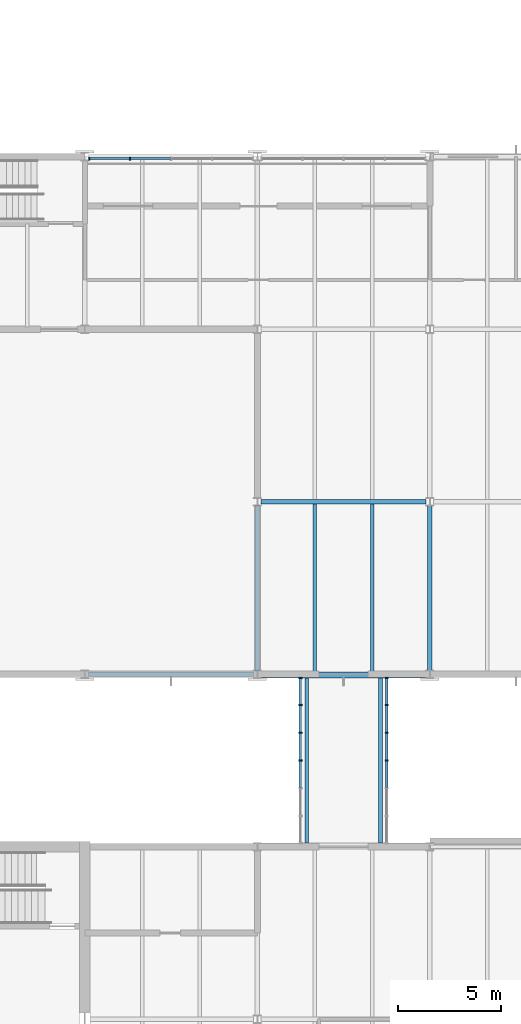
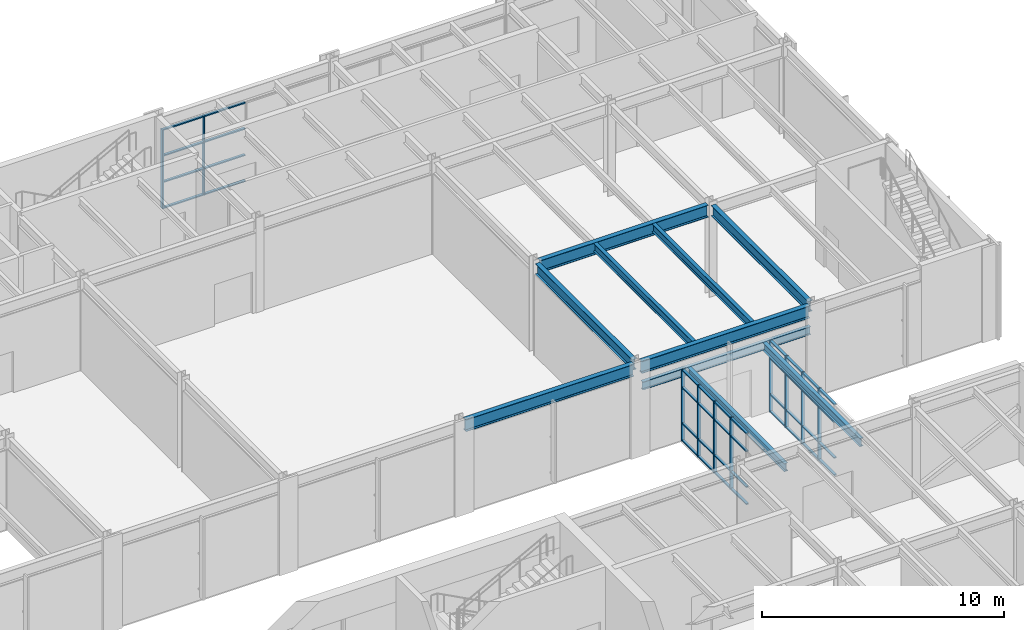
# One storey, part 51 of 127: 50 members, 10 beams, 3 elements without a shape of their own.
"""IFC4 building model written with IfcOpenShell, lengths in metres."""

from ifc_helpers import new_model, si_unit, direction, frame, origin, origin_2d, place, context, subcontext, project, spatial, rectangle, i_section, extrude, material, material_profile, profile_set, type_object, element, aggregate, save


model = new_model("IFC4")

# Units and contexts
model_context = context("Model", 3, precision=1e-05, world=origin(), true_north=direction((0.0, 1.0)))
body_context = subcontext(model_context, "Body", "Model", "MODEL_VIEW")
ifc_project = project(units=[si_unit("LENGTHUNIT", "METRE"), si_unit("AREAUNIT", "SQUARE_METRE"), si_unit("VOLUMEUNIT", "CUBIC_METRE"), si_unit("PLANEANGLEUNIT", "RADIAN"), si_unit("MASSUNIT", "GRAM", prefix="KILO")], contexts=[model_context])

# Site, building, storey
site_placement = place(None, origin())
site = spatial("IfcSite", under=ifc_project, at=site_placement, CompositionType="ELEMENT")
building_placement = place(site_placement, origin())
building = spatial("IfcBuilding", under=site, at=building_placement, Name="Ljudholm Concert House", CompositionType="ELEMENT")
storey_placement = place(building_placement, frame((0.0, 0.0, 5.39990234375)))
storey = spatial("IfcBuildingStorey", under=building, at=storey_placement, Name="L01", CompositionType="ELEMENT", Elevation=5.39990234375)

# Curtain wall, members
ifc_material_1 = material(Name="Aluminium curtain wall with impact-rated laminated glass", Category="aluminium")
curtain_wall_type_1 = type_object("IfcCurtainWallType", Name="CURTAIN WALL 1350", PredefinedType="NOTDEFINED", material=ifc_material_1)
curtain_wall_1_placement = place(storey_placement, origin())
curtain_wall_1 = element("IfcCurtainWall", 1, at=curtain_wall_1_placement, inside=storey, type_object=curtain_wall_type_1, Name="Bridge curtain wall", PredefinedType="NOTDEFINED")
ifc_material_2 = material(Name="Aluminium extrusion", Category="aluminium")
ifc_material_profile_1 = material_profile(ifc_material_2, rectangle(XDim=0.159912109375, YDim=0.06005859375, at=origin_2d()), Name="MULLION 60x160")
ifc_profile_set_1 = profile_set([ifc_material_profile_1], Name="Aluminium extrusion")
member_type_1 = type_object("IfcMemberType", Name="MULLION 60x160", PredefinedType="MULLION", material=ifc_profile_set_1)
member_1_placement = place(storey_placement, frame((106.89990234375, 100.60009765625, 0.0), z_axis=(0.0, 0.0, 1.0), x_axis=(-1.0, 0.0, 0.0)))
member_1 = element("IfcMember", 2, at=member_1_placement, type_object=member_type_1, Name="Mullion", PredefinedType="MULLION", context=body_context, shape_type="SweptSolid", body=[
    extrude(rectangle(XDim=0.159912109375, YDim=0.06005859375, at=origin_2d()), origin(), (0.0, 0.0, 1.0), 3.6201171875),
])
member_2_placement = place(storey_placement, frame((106.89990234375, 101.949951171875, 0.0), z_axis=(0.0, 0.0, 1.0), x_axis=(-1.0, 0.0, 0.0)))
member_2 = element("IfcMember", 3, at=member_2_placement, type_object=member_type_1, Name="Mullion", PredefinedType="MULLION", context=body_context, shape_type="SweptSolid", body=[
    extrude(rectangle(XDim=0.159912109375, YDim=0.06005859375, at=origin_2d()), origin(), (0.0, 0.0, 1.0), 3.6201171875),
])
member_3_placement = place(storey_placement, frame((106.89990234375, 103.300048828125, 0.0), z_axis=(0.0, 0.0, 1.0), x_axis=(-1.0, 0.0, 0.0)))
member_3 = element("IfcMember", 4, at=member_3_placement, type_object=member_type_1, Name="Mullion", PredefinedType="MULLION", context=body_context, shape_type="SweptSolid", body=[
    extrude(rectangle(XDim=0.159912109375, YDim=0.06005859375, at=origin_2d()), origin(), (0.0, 0.0, 1.0), 3.6201171875),
])
member_4_placement = place(storey_placement, frame((106.89990234375, 104.6201171875, 0.0), z_axis=(0.0, 0.0, 1.0), x_axis=(-1.0, 0.0, 0.0)))
member_4 = element("IfcMember", 5, at=member_4_placement, type_object=member_type_1, Name="Mullion", PredefinedType="MULLION", context=body_context, shape_type="SweptSolid", body=[
    extrude(rectangle(XDim=0.159912109375, YDim=0.06005859375, at=origin_2d()), origin(), (0.0, 0.0, 1.0), 3.6201171875),
])

curtain_wall_2_placement = place(storey_placement, origin())
curtain_wall_2 = element("IfcCurtainWall", 6, at=curtain_wall_2_placement, inside=storey, type_object=curtain_wall_type_1, Name="Bridge curtain wall", PredefinedType="NOTDEFINED")
member_5_placement = place(storey_placement, frame((111.10009765625, 100.60009765625, 0.0), z_axis=(0.0, 0.0, 1.0), x_axis=(-1.0, 0.0, 0.0)))
member_5 = element("IfcMember", 7, at=member_5_placement, type_object=member_type_1, Name="Mullion", PredefinedType="MULLION", context=body_context, shape_type="SweptSolid", body=[
    extrude(rectangle(XDim=0.159912109375, YDim=0.06005859375, at=origin_2d()), origin(), (0.0, 0.0, 1.0), 3.6201171875),
])
member_6_placement = place(storey_placement, frame((111.10009765625, 101.949951171875, 0.0), z_axis=(0.0, 0.0, 1.0), x_axis=(-1.0, 0.0, 0.0)))
member_6 = element("IfcMember", 8, at=member_6_placement, type_object=member_type_1, Name="Mullion", PredefinedType="MULLION", context=body_context, shape_type="SweptSolid", body=[
    extrude(rectangle(XDim=0.159912109375, YDim=0.06005859375, at=origin_2d()), origin(), (0.0, 0.0, 1.0), 3.6201171875),
])
member_7_placement = place(storey_placement, frame((111.10009765625, 103.300048828125, 0.0), z_axis=(0.0, 0.0, 1.0), x_axis=(-1.0, 0.0, 0.0)))
member_7 = element("IfcMember", 9, at=member_7_placement, type_object=member_type_1, Name="Mullion", PredefinedType="MULLION", context=body_context, shape_type="SweptSolid", body=[
    extrude(rectangle(XDim=0.159912109375, YDim=0.06005859375, at=origin_2d()), origin(), (0.0, 0.0, 1.0), 3.6201171875),
])
member_8_placement = place(storey_placement, frame((111.10009765625, 104.6201171875, 0.0), z_axis=(0.0, 0.0, 1.0), x_axis=(-1.0, 0.0, 0.0)))
member_8 = element("IfcMember", 10, at=member_8_placement, type_object=member_type_1, Name="Mullion", PredefinedType="MULLION", context=body_context, shape_type="SweptSolid", body=[
    extrude(rectangle(XDim=0.159912109375, YDim=0.06005859375, at=origin_2d()), origin(), (0.0, 0.0, 1.0), 3.6201171875),
])

ifc_material_3 = material(Name="Aluminium curtain wall with fixed aluminium storm louvre blades, timber-grain finish", Category="aluminium")
curtain_wall_type_2 = type_object("IfcCurtainWallType", Name="CURTAIN WALL 2000", PredefinedType="NOTDEFINED", material=ifc_material_3)
curtain_wall_3_placement = place(storey_placement, origin())
curtain_wall_3 = element("IfcCurtainWall", 11, at=curtain_wall_3_placement, inside=storey, type_object=curtain_wall_type_2, Name="Storm louvre screen", PredefinedType="NOTDEFINED")
member_9_placement = place(storey_placement, frame((96.6201171875, 129.89990234375, 0.0), z_axis=(0.0, 0.0, 1.0), x_axis=(0.0, 1.0, 0.0)))
member_9 = element("IfcMember", 12, at=member_9_placement, type_object=member_type_1, Name="Mullion", PredefinedType="MULLION", context=body_context, shape_type="SweptSolid", body=[
    extrude(rectangle(XDim=0.159912109375, YDim=0.06005859375, at=origin_2d()), origin(), (0.0, 0.0, 1.0), 4.008056640625),
])
member_10_placement = place(storey_placement, frame((98.594970703125, 129.89990234375, 0.0), z_axis=(0.0, 0.0, 1.0), x_axis=(0.0, 1.0, 0.0)))
member_10 = element("IfcMember", 13, at=member_10_placement, type_object=member_type_1, Name="Mullion", PredefinedType="MULLION", context=body_context, shape_type="SweptSolid", body=[
    extrude(rectangle(XDim=0.159912109375, YDim=0.06005859375, at=origin_2d()), origin(), (0.0, 0.0, 1.0), 4.008056640625),
])

# Beams
ifc_material_4 = material(Name="Steel ASTM A992", Category="steel")
ifc_material_profile_2 = material_profile(ifc_material_4, i_section(OverallWidth=0.177734375, OverallDepth=0.406494140625, WebThickness=0.0078125, FlangeThickness=0.012939453125, FilletRadius=0.01025390625, at=origin_2d()), Name="W16X40")
ifc_profile_set_2 = profile_set([ifc_material_profile_2], Name="Steel ASTM A992")
beam_type_1 = type_object("IfcBeamType", Name="STEEL BEAM W16X40", PredefinedType="BEAM", material=ifc_profile_set_2)
for number, where, z_axis, x_axis, name in (
    (14, (107.60009765625, 104.91455078125, 4.4169921875), (0.0, 1.0, 0.0), (-1.0, 0.0, 0.0), "Beam STUDIO-L02-sb-107.6-104.8"),
    (15, (110.39990234375, 104.91455078125, 4.4169921875), (0.0, 1.0, 0.0), (-1.0, 0.0, 0.0), "Beam STUDIO-L02-sb-110.4-104.8"),
):
    element("IfcBeam", number, at=place(storey_placement, frame(where, z_axis=z_axis, x_axis=x_axis)), inside=storey, type_object=beam_type_1, Name=name, PredefinedType="BEAM", context=body_context, shape_type="SweptSolid", body=[
        extrude(i_section(OverallWidth=0.177734375, OverallDepth=0.406494140625, WebThickness=0.0078125, FlangeThickness=0.012939453125, FilletRadius=0.01025390625, at=origin_2d()), origin(), (0.0, 0.0, 1.0), 8.1708984375),
    ])
for number, where, z_axis, x_axis, name in (
    (16, (107.199951171875, 96.5888671875, 3.4169921875), (0.0, 1.0, 0.0), (-1.0, 0.0, 0.0), "Bridge roof beam"),
    (17, (110.800048828125, 96.5888671875, 3.4169921875), (0.0, 1.0, 0.0), (-1.0, 0.0, 0.0), "Bridge roof beam"),
):
    element("IfcBeam", number, at=place(storey_placement, frame(where, z_axis=z_axis, x_axis=x_axis)), inside=storey, type_object=beam_type_1, Name=name, PredefinedType="BEAM", context=body_context, shape_type="SweptSolid", body=[
        extrude(i_section(OverallWidth=0.177734375, OverallDepth=0.406494140625, WebThickness=0.0078125, FlangeThickness=0.012939453125, FilletRadius=0.01025390625, at=origin_2d()), origin(), (0.0, 0.0, 1.0), 8.022216796875),
    ])
beam_1_placement = place(storey_placement, frame((104.986572265625, 104.699951171875, 3.4169921875), z_axis=(1.0, 0.0, 0.0), x_axis=(0.0, 1.0, 0.0)))
element("IfcBeam", 18, at=beam_1_placement, inside=storey, type_object=beam_type_1, Name="Bridge bearing beam", PredefinedType="BEAM", context=body_context, shape_type="SweptSolid", body=[
    extrude(i_section(OverallWidth=0.177734375, OverallDepth=0.406494140625, WebThickness=0.0078125, FlangeThickness=0.012939453125, FilletRadius=0.01025390625, at=origin_2d()), origin(), (0.0, 0.0, 1.0), 8.02685546875),
])
ifc_material_5 = material(Name="Steel ASTM A992", Category="steel")
ifc_material_profile_3 = material_profile(ifc_material_5, i_section(OverallWidth=0.209228515625, OverallDepth=0.533447265625, WebThickness=0.01025390625, FlangeThickness=0.015625, FilletRadius=0.012939453125, at=origin_2d()), Name="W21X62")
ifc_profile_set_3 = profile_set([ifc_material_profile_3], Name="Steel ASTM A992")
beam_type_2 = type_object("IfcBeamType", Name="STEEL BEAM W21X62", PredefinedType="BEAM", material=ifc_profile_set_3)
for number, where, z_axis, x_axis, name in (
    (19, (104.800048828125, 104.986572265625, 4.353515625), (0.0, 1.0, 0.0), (-1.0, 0.0, 0.0), "Beam STUDIO-L02-gy-104.8-104.8"),
    (20, (113.199951171875, 104.986572265625, 4.353515625), (0.0, 1.0, 0.0), (-1.0, 0.0, 0.0), "Beam STUDIO-L02-gy-113.2-104.8"),
):
    element("IfcBeam", number, at=place(storey_placement, frame(where, z_axis=z_axis, x_axis=x_axis)), inside=storey, type_object=beam_type_2, Name=name, PredefinedType="BEAM", context=body_context, shape_type="SweptSolid", body=[
        extrude(i_section(OverallWidth=0.209228515625, OverallDepth=0.533447265625, WebThickness=0.01025390625, FlangeThickness=0.015625, FilletRadius=0.012939453125, at=origin_2d()), origin(), (0.0, 0.0, 1.0), 8.02685546875),
    ])
ifc_material_6 = material(Name="Steel ASTM A992", Category="steel")
ifc_material_profile_4 = material_profile(ifc_material_6, i_section(OverallWidth=0.22900390625, OverallDepth=0.612060546875, WebThickness=0.011962890625, FlangeThickness=0.01953125, FilletRadius=0.0126953125, at=origin_2d()), Name="W24X84")
ifc_profile_set_4 = profile_set([ifc_material_profile_4], Name="Steel ASTM A992")
beam_type_3 = type_object("IfcBeamType", Name="STEEL BEAM W24X84", PredefinedType="BEAM", material=ifc_profile_set_4)
beam_2_placement = place(storey_placement, frame((96.586669921875, 104.800048828125, 4.31396484375), z_axis=(1.0, 0.0, 0.0), x_axis=(0.0, 1.0, 0.0)))
element("IfcBeam", 21, at=beam_2_placement, inside=storey, type_object=beam_type_3, Name="Beam STUDIO-L02-gx-96.4-104.8", PredefinedType="BEAM", context=body_context, shape_type="SweptSolid", body=[
    extrude(i_section(OverallWidth=0.22900390625, OverallDepth=0.612060546875, WebThickness=0.011962890625, FlangeThickness=0.01953125, FilletRadius=0.0126953125, at=origin_2d()), origin(), (0.0, 0.0, 1.0), 8.026611328125),
])
for number, where, z_axis, x_axis, name in (
    (22, (104.986572265625, 104.800048828125, 4.31396484375), (1.0, 0.0, 0.0), (0.0, 1.0, 0.0), "Beam STUDIO-L02-gx-104.8-104.8"),
    (23, (104.986572265625, 113.199951171875, 4.31396484375), (1.0, 0.0, 0.0), (0.0, 1.0, 0.0), "Beam STUDIO-L02-gx-104.8-113.2"),
):
    element("IfcBeam", number, at=place(storey_placement, frame(where, z_axis=z_axis, x_axis=x_axis)), inside=storey, type_object=beam_type_3, Name=name, PredefinedType="BEAM", context=body_context, shape_type="SweptSolid", body=[
        extrude(i_section(OverallWidth=0.22900390625, OverallDepth=0.612060546875, WebThickness=0.011962890625, FlangeThickness=0.01953125, FilletRadius=0.0126953125, at=origin_2d()), origin(), (0.0, 0.0, 1.0), 8.02685546875),
    ])

# Member
ifc_material_7 = material(Name="Aluminium extrusion", Category="aluminium")
ifc_material_profile_5 = material_profile(ifc_material_7, rectangle(XDim=0.1201171875, YDim=0.06005859375, at=origin_2d()), Name="TRANSOM 60x120")
ifc_profile_set_5 = profile_set([ifc_material_profile_5], Name="Aluminium extrusion")
member_type_2 = type_object("IfcMemberType", Name="TRANSOM 60x120", PredefinedType="USERDEFINED", material=ifc_profile_set_5)
member_11_placement = place(storey_placement, frame((106.89990234375, 99.280029296875, 0.030029296875), z_axis=(0.0, 1.0, 0.0), x_axis=(-1.0, 0.0, 0.0)))
member_11 = element("IfcMember", 24, at=member_11_placement, type_object=member_type_2, Name="Transom", ObjectType="TRANSOM", PredefinedType="USERDEFINED", context=body_context, shape_type="SweptSolid", body=[
    extrude(rectangle(XDim=0.1201171875, YDim=0.06005859375, at=origin_2d()), origin(), (0.0, 0.0, 1.0), 1.2900390625),
])

member_12_placement = place(storey_placement, frame((106.89990234375, 99.280029296875, 0.900146484375), z_axis=(0.0, 1.0, 0.0), x_axis=(-1.0, 0.0, 0.0)))
member_12 = element("IfcMember", 25, at=member_12_placement, type_object=member_type_2, Name="Transom", ObjectType="TRANSOM", PredefinedType="USERDEFINED", context=body_context, shape_type="SweptSolid", body=[
    extrude(rectangle(XDim=0.1201171875, YDim=0.06005859375, at=origin_2d()), origin(), (0.0, 0.0, 1.0), 1.2900390625),
])

member_13_placement = place(storey_placement, frame((106.89990234375, 99.280029296875, 2.7001953125), z_axis=(0.0, 1.0, 0.0), x_axis=(-1.0, 0.0, 0.0)))
member_13 = element("IfcMember", 26, at=member_13_placement, type_object=member_type_2, Name="Transom", ObjectType="TRANSOM", PredefinedType="USERDEFINED", context=body_context, shape_type="SweptSolid", body=[
    extrude(rectangle(XDim=0.1201171875, YDim=0.06005859375, at=origin_2d()), origin(), (0.0, 0.0, 1.0), 1.2900390625),
])

member_14_placement = place(storey_placement, frame((106.89990234375, 99.280029296875, 3.590087890625), z_axis=(0.0, 1.0, 0.0), x_axis=(-1.0, 0.0, 0.0)))
member_14 = element("IfcMember", 27, at=member_14_placement, type_object=member_type_2, Name="Transom", ObjectType="TRANSOM", PredefinedType="USERDEFINED", context=body_context, shape_type="SweptSolid", body=[
    extrude(rectangle(XDim=0.1201171875, YDim=0.06005859375, at=origin_2d()), origin(), (0.0, 0.0, 1.0), 1.2900390625),
])

member_15_placement = place(storey_placement, frame((106.89990234375, 100.6298828125, 0.030029296875), z_axis=(0.0, 1.0, 0.0), x_axis=(-1.0, 0.0, 0.0)))
member_15 = element("IfcMember", 28, at=member_15_placement, type_object=member_type_2, Name="Transom", ObjectType="TRANSOM", PredefinedType="USERDEFINED", context=body_context, shape_type="SweptSolid", body=[
    extrude(rectangle(XDim=0.1201171875, YDim=0.06005859375, at=origin_2d()), origin(), (0.0, 0.0, 1.0), 1.2900390625),
])

member_16_placement = place(storey_placement, frame((106.89990234375, 100.6298828125, 0.900146484375), z_axis=(0.0, 1.0, 0.0), x_axis=(-1.0, 0.0, 0.0)))
member_16 = element("IfcMember", 29, at=member_16_placement, type_object=member_type_2, Name="Transom", ObjectType="TRANSOM", PredefinedType="USERDEFINED", context=body_context, shape_type="SweptSolid", body=[
    extrude(rectangle(XDim=0.1201171875, YDim=0.06005859375, at=origin_2d()), origin(), (0.0, 0.0, 1.0), 1.2900390625),
])

member_17_placement = place(storey_placement, frame((106.89990234375, 100.6298828125, 2.7001953125), z_axis=(0.0, 1.0, 0.0), x_axis=(-1.0, 0.0, 0.0)))
member_17 = element("IfcMember", 30, at=member_17_placement, type_object=member_type_2, Name="Transom", ObjectType="TRANSOM", PredefinedType="USERDEFINED", context=body_context, shape_type="SweptSolid", body=[
    extrude(rectangle(XDim=0.1201171875, YDim=0.06005859375, at=origin_2d()), origin(), (0.0, 0.0, 1.0), 1.2900390625),
])

member_18_placement = place(storey_placement, frame((106.89990234375, 100.6298828125, 3.590087890625), z_axis=(0.0, 1.0, 0.0), x_axis=(-1.0, 0.0, 0.0)))
member_18 = element("IfcMember", 31, at=member_18_placement, type_object=member_type_2, Name="Transom", ObjectType="TRANSOM", PredefinedType="USERDEFINED", context=body_context, shape_type="SweptSolid", body=[
    extrude(rectangle(XDim=0.1201171875, YDim=0.06005859375, at=origin_2d()), origin(), (0.0, 0.0, 1.0), 1.2900390625),
])

member_19_placement = place(storey_placement, frame((106.89990234375, 101.97998046875, 0.030029296875), z_axis=(0.0, 1.0, 0.0), x_axis=(-1.0, 0.0, 0.0)))
member_19 = element("IfcMember", 32, at=member_19_placement, type_object=member_type_2, Name="Transom", ObjectType="TRANSOM", PredefinedType="USERDEFINED", context=body_context, shape_type="SweptSolid", body=[
    extrude(rectangle(XDim=0.1201171875, YDim=0.06005859375, at=origin_2d()), origin(), (0.0, 0.0, 1.0), 1.2900390625),
])

member_20_placement = place(storey_placement, frame((106.89990234375, 101.97998046875, 0.900146484375), z_axis=(0.0, 1.0, 0.0), x_axis=(-1.0, 0.0, 0.0)))
member_20 = element("IfcMember", 33, at=member_20_placement, type_object=member_type_2, Name="Transom", ObjectType="TRANSOM", PredefinedType="USERDEFINED", context=body_context, shape_type="SweptSolid", body=[
    extrude(rectangle(XDim=0.1201171875, YDim=0.06005859375, at=origin_2d()), origin(), (0.0, 0.0, 1.0), 1.2900390625),
])

member_21_placement = place(storey_placement, frame((106.89990234375, 101.97998046875, 2.7001953125), z_axis=(0.0, 1.0, 0.0), x_axis=(-1.0, 0.0, 0.0)))
member_21 = element("IfcMember", 34, at=member_21_placement, type_object=member_type_2, Name="Transom", ObjectType="TRANSOM", PredefinedType="USERDEFINED", context=body_context, shape_type="SweptSolid", body=[
    extrude(rectangle(XDim=0.1201171875, YDim=0.06005859375, at=origin_2d()), origin(), (0.0, 0.0, 1.0), 1.2900390625),
])

member_22_placement = place(storey_placement, frame((106.89990234375, 101.97998046875, 3.590087890625), z_axis=(0.0, 1.0, 0.0), x_axis=(-1.0, 0.0, 0.0)))
member_22 = element("IfcMember", 35, at=member_22_placement, type_object=member_type_2, Name="Transom", ObjectType="TRANSOM", PredefinedType="USERDEFINED", context=body_context, shape_type="SweptSolid", body=[
    extrude(rectangle(XDim=0.1201171875, YDim=0.06005859375, at=origin_2d()), origin(), (0.0, 0.0, 1.0), 1.2900390625),
])

member_23_placement = place(storey_placement, frame((106.89990234375, 103.330078125, 0.030029296875), z_axis=(0.0, 1.0, 0.0), x_axis=(-1.0, 0.0, 0.0)))
member_23 = element("IfcMember", 36, at=member_23_placement, type_object=member_type_2, Name="Transom", ObjectType="TRANSOM", PredefinedType="USERDEFINED", context=body_context, shape_type="SweptSolid", body=[
    extrude(rectangle(XDim=0.1201171875, YDim=0.06005859375, at=origin_2d()), origin(), (0.0, 0.0, 1.0), 1.260009765625),
])

member_24_placement = place(storey_placement, frame((106.89990234375, 103.330078125, 0.900146484375), z_axis=(0.0, 1.0, 0.0), x_axis=(-1.0, 0.0, 0.0)))
member_24 = element("IfcMember", 37, at=member_24_placement, type_object=member_type_2, Name="Transom", ObjectType="TRANSOM", PredefinedType="USERDEFINED", context=body_context, shape_type="SweptSolid", body=[
    extrude(rectangle(XDim=0.1201171875, YDim=0.06005859375, at=origin_2d()), origin(), (0.0, 0.0, 1.0), 1.260009765625),
])

member_25_placement = place(storey_placement, frame((106.89990234375, 103.330078125, 2.7001953125), z_axis=(0.0, 1.0, 0.0), x_axis=(-1.0, 0.0, 0.0)))
member_25 = element("IfcMember", 38, at=member_25_placement, type_object=member_type_2, Name="Transom", ObjectType="TRANSOM", PredefinedType="USERDEFINED", context=body_context, shape_type="SweptSolid", body=[
    extrude(rectangle(XDim=0.1201171875, YDim=0.06005859375, at=origin_2d()), origin(), (0.0, 0.0, 1.0), 1.260009765625),
])

member_26_placement = place(storey_placement, frame((106.89990234375, 103.330078125, 3.590087890625), z_axis=(0.0, 1.0, 0.0), x_axis=(-1.0, 0.0, 0.0)))
member_26 = element("IfcMember", 39, at=member_26_placement, type_object=member_type_2, Name="Transom", ObjectType="TRANSOM", PredefinedType="USERDEFINED", context=body_context, shape_type="SweptSolid", body=[
    extrude(rectangle(XDim=0.1201171875, YDim=0.06005859375, at=origin_2d()), origin(), (0.0, 0.0, 1.0), 1.260009765625),
])

aggregate(curtain_wall_1, [member_1, member_2, member_3, member_4, member_11, member_12, member_13, member_14, member_15, member_16, member_17, member_18, member_19, member_20, member_21, member_22, member_23, member_24, member_25, member_26])

member_27_placement = place(storey_placement, frame((111.10009765625, 99.280029296875, 0.030029296875), z_axis=(0.0, 1.0, 0.0), x_axis=(-1.0, 0.0, 0.0)))
member_27 = element("IfcMember", 40, at=member_27_placement, type_object=member_type_2, Name="Transom", ObjectType="TRANSOM", PredefinedType="USERDEFINED", context=body_context, shape_type="SweptSolid", body=[
    extrude(rectangle(XDim=0.1201171875, YDim=0.06005859375, at=origin_2d()), origin(), (0.0, 0.0, 1.0), 1.2900390625),
])

member_28_placement = place(storey_placement, frame((111.10009765625, 99.280029296875, 0.900146484375), z_axis=(0.0, 1.0, 0.0), x_axis=(-1.0, 0.0, 0.0)))
member_28 = element("IfcMember", 41, at=member_28_placement, type_object=member_type_2, Name="Transom", ObjectType="TRANSOM", PredefinedType="USERDEFINED", context=body_context, shape_type="SweptSolid", body=[
    extrude(rectangle(XDim=0.1201171875, YDim=0.06005859375, at=origin_2d()), origin(), (0.0, 0.0, 1.0), 1.2900390625),
])

member_29_placement = place(storey_placement, frame((111.10009765625, 99.280029296875, 2.7001953125), z_axis=(0.0, 1.0, 0.0), x_axis=(-1.0, 0.0, 0.0)))
member_29 = element("IfcMember", 42, at=member_29_placement, type_object=member_type_2, Name="Transom", ObjectType="TRANSOM", PredefinedType="USERDEFINED", context=body_context, shape_type="SweptSolid", body=[
    extrude(rectangle(XDim=0.1201171875, YDim=0.06005859375, at=origin_2d()), origin(), (0.0, 0.0, 1.0), 1.2900390625),
])

member_30_placement = place(storey_placement, frame((111.10009765625, 99.280029296875, 3.590087890625), z_axis=(0.0, 1.0, 0.0), x_axis=(-1.0, 0.0, 0.0)))
member_30 = element("IfcMember", 43, at=member_30_placement, type_object=member_type_2, Name="Transom", ObjectType="TRANSOM", PredefinedType="USERDEFINED", context=body_context, shape_type="SweptSolid", body=[
    extrude(rectangle(XDim=0.1201171875, YDim=0.06005859375, at=origin_2d()), origin(), (0.0, 0.0, 1.0), 1.2900390625),
])

member_31_placement = place(storey_placement, frame((111.10009765625, 100.6298828125, 0.030029296875), z_axis=(0.0, 1.0, 0.0), x_axis=(-1.0, 0.0, 0.0)))
member_31 = element("IfcMember", 44, at=member_31_placement, type_object=member_type_2, Name="Transom", ObjectType="TRANSOM", PredefinedType="USERDEFINED", context=body_context, shape_type="SweptSolid", body=[
    extrude(rectangle(XDim=0.1201171875, YDim=0.06005859375, at=origin_2d()), origin(), (0.0, 0.0, 1.0), 1.2900390625),
])

member_32_placement = place(storey_placement, frame((111.10009765625, 100.6298828125, 0.900146484375), z_axis=(0.0, 1.0, 0.0), x_axis=(-1.0, 0.0, 0.0)))
member_32 = element("IfcMember", 45, at=member_32_placement, type_object=member_type_2, Name="Transom", ObjectType="TRANSOM", PredefinedType="USERDEFINED", context=body_context, shape_type="SweptSolid", body=[
    extrude(rectangle(XDim=0.1201171875, YDim=0.06005859375, at=origin_2d()), origin(), (0.0, 0.0, 1.0), 1.2900390625),
])

member_33_placement = place(storey_placement, frame((111.10009765625, 100.6298828125, 2.7001953125), z_axis=(0.0, 1.0, 0.0), x_axis=(-1.0, 0.0, 0.0)))
member_33 = element("IfcMember", 46, at=member_33_placement, type_object=member_type_2, Name="Transom", ObjectType="TRANSOM", PredefinedType="USERDEFINED", context=body_context, shape_type="SweptSolid", body=[
    extrude(rectangle(XDim=0.1201171875, YDim=0.06005859375, at=origin_2d()), origin(), (0.0, 0.0, 1.0), 1.2900390625),
])

member_34_placement = place(storey_placement, frame((111.10009765625, 100.6298828125, 3.590087890625), z_axis=(0.0, 1.0, 0.0), x_axis=(-1.0, 0.0, 0.0)))
member_34 = element("IfcMember", 47, at=member_34_placement, type_object=member_type_2, Name="Transom", ObjectType="TRANSOM", PredefinedType="USERDEFINED", context=body_context, shape_type="SweptSolid", body=[
    extrude(rectangle(XDim=0.1201171875, YDim=0.06005859375, at=origin_2d()), origin(), (0.0, 0.0, 1.0), 1.2900390625),
])

member_35_placement = place(storey_placement, frame((111.10009765625, 101.97998046875, 0.030029296875), z_axis=(0.0, 1.0, 0.0), x_axis=(-1.0, 0.0, 0.0)))
member_35 = element("IfcMember", 48, at=member_35_placement, type_object=member_type_2, Name="Transom", ObjectType="TRANSOM", PredefinedType="USERDEFINED", context=body_context, shape_type="SweptSolid", body=[
    extrude(rectangle(XDim=0.1201171875, YDim=0.06005859375, at=origin_2d()), origin(), (0.0, 0.0, 1.0), 1.2900390625),
])

member_36_placement = place(storey_placement, frame((111.10009765625, 101.97998046875, 0.900146484375), z_axis=(0.0, 1.0, 0.0), x_axis=(-1.0, 0.0, 0.0)))
member_36 = element("IfcMember", 49, at=member_36_placement, type_object=member_type_2, Name="Transom", ObjectType="TRANSOM", PredefinedType="USERDEFINED", context=body_context, shape_type="SweptSolid", body=[
    extrude(rectangle(XDim=0.1201171875, YDim=0.06005859375, at=origin_2d()), origin(), (0.0, 0.0, 1.0), 1.2900390625),
])

member_37_placement = place(storey_placement, frame((111.10009765625, 101.97998046875, 2.7001953125), z_axis=(0.0, 1.0, 0.0), x_axis=(-1.0, 0.0, 0.0)))
member_37 = element("IfcMember", 50, at=member_37_placement, type_object=member_type_2, Name="Transom", ObjectType="TRANSOM", PredefinedType="USERDEFINED", context=body_context, shape_type="SweptSolid", body=[
    extrude(rectangle(XDim=0.1201171875, YDim=0.06005859375, at=origin_2d()), origin(), (0.0, 0.0, 1.0), 1.2900390625),
])

member_38_placement = place(storey_placement, frame((111.10009765625, 101.97998046875, 3.590087890625), z_axis=(0.0, 1.0, 0.0), x_axis=(-1.0, 0.0, 0.0)))
member_38 = element("IfcMember", 51, at=member_38_placement, type_object=member_type_2, Name="Transom", ObjectType="TRANSOM", PredefinedType="USERDEFINED", context=body_context, shape_type="SweptSolid", body=[
    extrude(rectangle(XDim=0.1201171875, YDim=0.06005859375, at=origin_2d()), origin(), (0.0, 0.0, 1.0), 1.2900390625),
])

member_39_placement = place(storey_placement, frame((111.10009765625, 103.330078125, 0.030029296875), z_axis=(0.0, 1.0, 0.0), x_axis=(-1.0, 0.0, 0.0)))
member_39 = element("IfcMember", 52, at=member_39_placement, type_object=member_type_2, Name="Transom", ObjectType="TRANSOM", PredefinedType="USERDEFINED", context=body_context, shape_type="SweptSolid", body=[
    extrude(rectangle(XDim=0.1201171875, YDim=0.06005859375, at=origin_2d()), origin(), (0.0, 0.0, 1.0), 1.260009765625),
])

member_40_placement = place(storey_placement, frame((111.10009765625, 103.330078125, 0.900146484375), z_axis=(0.0, 1.0, 0.0), x_axis=(-1.0, 0.0, 0.0)))
member_40 = element("IfcMember", 53, at=member_40_placement, type_object=member_type_2, Name="Transom", ObjectType="TRANSOM", PredefinedType="USERDEFINED", context=body_context, shape_type="SweptSolid", body=[
    extrude(rectangle(XDim=0.1201171875, YDim=0.06005859375, at=origin_2d()), origin(), (0.0, 0.0, 1.0), 1.260009765625),
])

member_41_placement = place(storey_placement, frame((111.10009765625, 103.330078125, 2.7001953125), z_axis=(0.0, 1.0, 0.0), x_axis=(-1.0, 0.0, 0.0)))
member_41 = element("IfcMember", 54, at=member_41_placement, type_object=member_type_2, Name="Transom", ObjectType="TRANSOM", PredefinedType="USERDEFINED", context=body_context, shape_type="SweptSolid", body=[
    extrude(rectangle(XDim=0.1201171875, YDim=0.06005859375, at=origin_2d()), origin(), (0.0, 0.0, 1.0), 1.260009765625),
])

member_42_placement = place(storey_placement, frame((111.10009765625, 103.330078125, 3.590087890625), z_axis=(0.0, 1.0, 0.0), x_axis=(-1.0, 0.0, 0.0)))
member_42 = element("IfcMember", 55, at=member_42_placement, type_object=member_type_2, Name="Transom", ObjectType="TRANSOM", PredefinedType="USERDEFINED", context=body_context, shape_type="SweptSolid", body=[
    extrude(rectangle(XDim=0.1201171875, YDim=0.06005859375, at=origin_2d()), origin(), (0.0, 0.0, 1.0), 1.260009765625),
])

aggregate(curtain_wall_2, [member_5, member_6, member_7, member_8, member_27, member_28, member_29, member_30, member_31, member_32, member_33, member_34, member_35, member_36, member_37, member_38, member_39, member_40, member_41, member_42])

member_43_placement = place(storey_placement, frame((96.64990234375, 129.89990234375, 0.030029296875), z_axis=(1.0, 0.0, 0.0), x_axis=(0.0, 1.0, 0.0)))
member_43 = element("IfcMember", 56, at=member_43_placement, type_object=member_type_2, Name="Transom", ObjectType="TRANSOM", PredefinedType="USERDEFINED", context=body_context, shape_type="SweptSolid", body=[
    extrude(rectangle(XDim=0.1201171875, YDim=0.06005859375, at=origin_2d()), origin(), (0.0, 0.0, 1.0), 1.9150390625),
])

member_44_placement = place(storey_placement, frame((96.64990234375, 129.89990234375, 1.3359375), z_axis=(1.0, 0.0, 0.0), x_axis=(0.0, 1.0, 0.0)))
member_44 = element("IfcMember", 57, at=member_44_placement, type_object=member_type_2, Name="Transom", ObjectType="TRANSOM", PredefinedType="USERDEFINED", context=body_context, shape_type="SweptSolid", body=[
    extrude(rectangle(XDim=0.1201171875, YDim=0.06005859375, at=origin_2d()), origin(), (0.0, 0.0, 1.0), 1.9150390625),
])

member_45_placement = place(storey_placement, frame((96.64990234375, 129.89990234375, 2.672119140625), z_axis=(1.0, 0.0, 0.0), x_axis=(0.0, 1.0, 0.0)))
member_45 = element("IfcMember", 58, at=member_45_placement, type_object=member_type_2, Name="Transom", ObjectType="TRANSOM", PredefinedType="USERDEFINED", context=body_context, shape_type="SweptSolid", body=[
    extrude(rectangle(XDim=0.1201171875, YDim=0.06005859375, at=origin_2d()), origin(), (0.0, 0.0, 1.0), 1.9150390625),
])

member_46_placement = place(storey_placement, frame((96.64990234375, 129.89990234375, 3.97802734375), z_axis=(1.0, 0.0, 0.0), x_axis=(0.0, 1.0, 0.0)))
member_46 = element("IfcMember", 59, at=member_46_placement, type_object=member_type_2, Name="Transom", ObjectType="TRANSOM", PredefinedType="USERDEFINED", context=body_context, shape_type="SweptSolid", body=[
    extrude(rectangle(XDim=0.1201171875, YDim=0.06005859375, at=origin_2d()), origin(), (0.0, 0.0, 1.0), 1.9150390625),
])

member_47_placement = place(storey_placement, frame((98.625, 129.89990234375, 0.030029296875), z_axis=(1.0, 0.0, 0.0), x_axis=(0.0, 1.0, 0.0)))
member_47 = element("IfcMember", 60, at=member_47_placement, type_object=member_type_2, Name="Transom", ObjectType="TRANSOM", PredefinedType="USERDEFINED", context=body_context, shape_type="SweptSolid", body=[
    extrude(rectangle(XDim=0.1201171875, YDim=0.06005859375, at=origin_2d()), origin(), (0.0, 0.0, 1.0), 1.945068359375),
])

member_48_placement = place(storey_placement, frame((98.625, 129.89990234375, 1.3359375), z_axis=(1.0, 0.0, 0.0), x_axis=(0.0, 1.0, 0.0)))
member_48 = element("IfcMember", 61, at=member_48_placement, type_object=member_type_2, Name="Transom", ObjectType="TRANSOM", PredefinedType="USERDEFINED", context=body_context, shape_type="SweptSolid", body=[
    extrude(rectangle(XDim=0.1201171875, YDim=0.06005859375, at=origin_2d()), origin(), (0.0, 0.0, 1.0), 1.945068359375),
])

member_49_placement = place(storey_placement, frame((98.625, 129.89990234375, 2.672119140625), z_axis=(1.0, 0.0, 0.0), x_axis=(0.0, 1.0, 0.0)))
member_49 = element("IfcMember", 62, at=member_49_placement, type_object=member_type_2, Name="Transom", ObjectType="TRANSOM", PredefinedType="USERDEFINED", context=body_context, shape_type="SweptSolid", body=[
    extrude(rectangle(XDim=0.1201171875, YDim=0.06005859375, at=origin_2d()), origin(), (0.0, 0.0, 1.0), 1.945068359375),
])

member_50_placement = place(storey_placement, frame((98.625, 129.89990234375, 3.97802734375), z_axis=(1.0, 0.0, 0.0), x_axis=(0.0, 1.0, 0.0)))
member_50 = element("IfcMember", 63, at=member_50_placement, type_object=member_type_2, Name="Transom", ObjectType="TRANSOM", PredefinedType="USERDEFINED", context=body_context, shape_type="SweptSolid", body=[
    extrude(rectangle(XDim=0.1201171875, YDim=0.06005859375, at=origin_2d()), origin(), (0.0, 0.0, 1.0), 1.945068359375),
])

aggregate(curtain_wall_3, [member_9, member_10, member_43, member_44, member_45, member_46, member_47, member_48, member_49, member_50])

save(model, "model.ifc")
